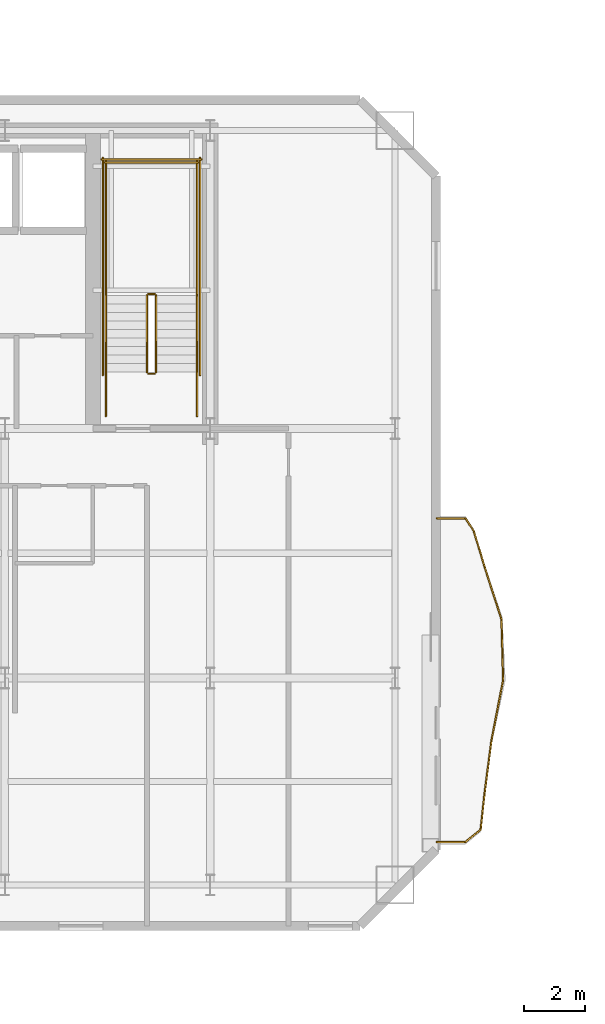
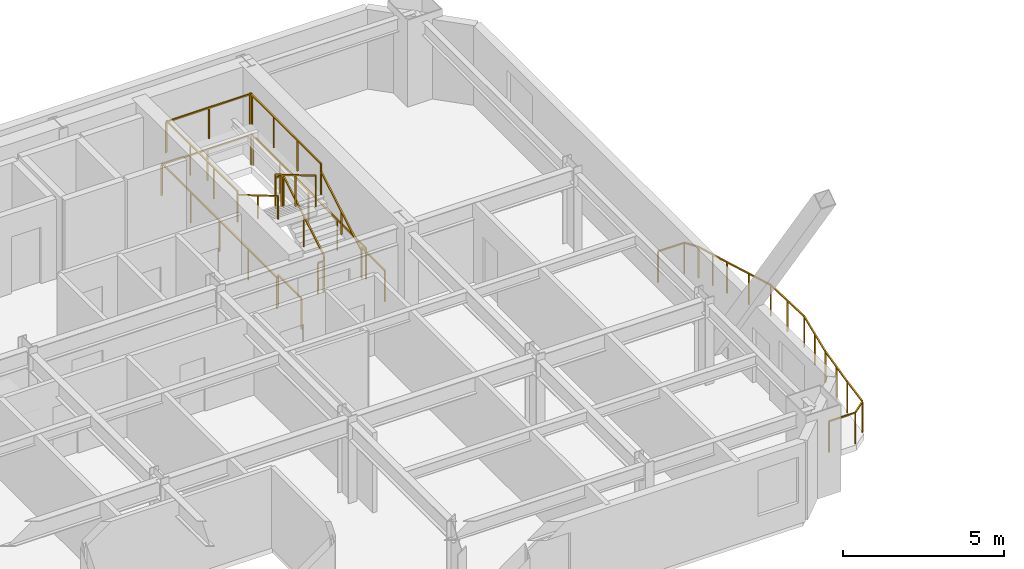
# One storey, part 11 of 13: 24 railings.
"""IFC4 building model written with IfcOpenShell, lengths in metres."""

from ifc_helpers import new_model, si_unit, direction, frame, origin, origin_2d, place, context, subcontext, project, spatial, rectangle, extrude, material, type_object, element, save


model = new_model("IFC4")

# Units and contexts
model_context = context("Model", 3, precision=1e-05, world=origin(), true_north=direction((0.0, 1.0)))
body_context = subcontext(model_context, "Body", "Model", "MODEL_VIEW")
ifc_project = project(units=[si_unit("LENGTHUNIT", "METRE"), si_unit("AREAUNIT", "SQUARE_METRE"), si_unit("VOLUMEUNIT", "CUBIC_METRE"), si_unit("PLANEANGLEUNIT", "RADIAN"), si_unit("MASSUNIT", "GRAM", prefix="KILO")], contexts=[model_context])

# Site, building, storey
site_placement = place(None, origin())
site = spatial("IfcSite", under=ifc_project, at=site_placement, CompositionType="ELEMENT")
building_placement = place(site_placement, origin())
building = spatial("IfcBuilding", under=site, at=building_placement, Name="Haevon Station Towers", CompositionType="ELEMENT")
storey_placement = place(building_placement, frame((0.0, 0.0, 165.89990234375)))
storey = spatial("IfcBuildingStorey", under=building, at=storey_placement, Name="L45", CompositionType="ELEMENT", Elevation=165.89990234375)

# Railings
ifc_material = material(Name="Steel S355", Category="steel")
railing_type_1 = type_object("IfcRailingType", Name="GRD-EXT1200", PredefinedType="GUARDRAIL", material=ifc_material)
railing_1_placement = place(storey_placement, frame((58.448486328125, 24.602783203125, 0.0)))
element("IfcRailing", 1, at=railing_1_placement, inside=storey, type_object=railing_type_1, Name="L45 Perimeter Guardrail 1", PredefinedType="GUARDRAIL", context=body_context, shape_type="SweptSolid", body=[
    extrude(rectangle(XDim=0.048095703125, YDim=0.048095703125, at=origin_2d()), frame((0.0, 0.0, 1.17578125), z_axis=(0.999997857851, 0.002069853263, 0.0), x_axis=(-0.002069853263, 0.999997857851, 0.0)), (0.0, 0.0, 1.0), 0.943603515625),
    extrude(rectangle(XDim=0.0419921875, YDim=0.0419921875, at=origin_2d()), origin(), (0.0, 0.0, 1.0), 1.15185546875),
    extrude(rectangle(XDim=0.0419921875, YDim=0.0419921875, at=origin_2d()), frame((0.943603515625, 0.001953125, 0.0)), (0.0, 0.0, 1.0), 1.15185546875),
])
railing_2_placement = place(storey_placement, frame((59.39208984375, 24.604736328125, 0.0)))
element("IfcRailing", 2, at=railing_2_placement, inside=storey, type_object=railing_type_1, Name="L45 Perimeter Guardrail 2", PredefinedType="GUARDRAIL", context=body_context, shape_type="SweptSolid", body=[
    extrude(rectangle(XDim=0.048095703125, YDim=0.048095703125, at=origin_2d()), frame((0.0, 0.0, 1.17578125), z_axis=(0.771155301893, 0.636647076771, 0.0), x_axis=(-0.636647076771, 0.771155301893, 0.0)), (0.0, 0.0, 1.0), 0.646240234375),
    extrude(rectangle(XDim=0.0419921875, YDim=0.0419921875, at=origin_2d()), origin(), (0.0, 0.0, 1.0), 1.15185546875),
    extrude(rectangle(XDim=0.0419921875, YDim=0.0419921875, at=origin_2d()), frame((0.498291015625, 0.411376953125, 0.0)), (0.0, 0.0, 1.0), 1.15185546875),
])
railing_3_placement = place(storey_placement, frame((59.890380859375, 25.01611328125, 0.0)))
element("IfcRailing", 3, at=railing_3_placement, inside=storey, type_object=railing_type_1, Name="L45 Perimeter Guardrail 3", PredefinedType="GUARDRAIL", context=body_context, shape_type="SweptSolid", body=[
    extrude(rectangle(XDim=0.048095703125, YDim=0.048095703125, at=origin_2d()), frame((0.0, 0.0, 1.17578125), z_axis=(0.10826862392, 0.994121675186, 0.0), x_axis=(-0.994121675186, 0.10826862392, 0.0)), (0.0, 0.0, 1.0), 1.177001953125),
    extrude(rectangle(XDim=0.0419921875, YDim=0.0419921875, at=origin_2d()), origin(), (0.0, 0.0, 1.0), 1.15185546875),
    extrude(rectangle(XDim=0.0419921875, YDim=0.0419921875, at=origin_2d()), frame((0.12744140625, 1.170166015625, 0.0)), (0.0, 0.0, 1.0), 1.15185546875),
])
railing_4_placement = place(storey_placement, frame((60.017822265625, 26.186279296875, 0.0)))
element("IfcRailing", 4, at=railing_4_placement, inside=storey, type_object=railing_type_1, Name="L45 Perimeter Guardrail 4", PredefinedType="GUARDRAIL", context=body_context, shape_type="SweptSolid", body=[
    extrude(rectangle(XDim=0.048095703125, YDim=0.048095703125, at=origin_2d()), frame((0.0, 0.0, 1.17578125), z_axis=(0.128836300535, 0.991665875013, 0.0), x_axis=(-0.991665875013, 0.128836300535, 0.0)), (0.0, 0.0, 1.0), 1.76416015625),
    extrude(rectangle(XDim=0.0419921875, YDim=0.0419921875, at=origin_2d()), origin(), (0.0, 0.0, 1.0), 1.15185546875),
    extrude(rectangle(XDim=0.0419921875, YDim=0.0419921875, at=origin_2d()), frame((0.11376953125, 0.874755859375, 0.0)), (0.0, 0.0, 1.0), 1.15185546875),
    extrude(rectangle(XDim=0.0419921875, YDim=0.0419921875, at=origin_2d()), frame((0.227294921875, 1.74951171875, 0.0)), (0.0, 0.0, 1.0), 1.15185546875),
])
railing_5_placement = place(storey_placement, frame((60.2451171875, 27.935791015625, 0.0)))
element("IfcRailing", 5, at=railing_5_placement, inside=storey, type_object=railing_type_1, Name="L45 Perimeter Guardrail 5", PredefinedType="GUARDRAIL", context=body_context, shape_type="SweptSolid", body=[
    extrude(rectangle(XDim=0.048095703125, YDim=0.048095703125, at=origin_2d()), frame((0.0, 0.0, 1.17578125), z_axis=(0.189669695752, 0.981847954886, 0.0), x_axis=(-0.981847954886, 0.189669695752, 0.0)), (0.0, 0.0, 1.0), 2.026123046875),
    extrude(rectangle(XDim=0.0419921875, YDim=0.0419921875, at=origin_2d()), origin(), (0.0, 0.0, 1.0), 1.15185546875),
    extrude(rectangle(XDim=0.0419921875, YDim=0.0419921875, at=origin_2d()), frame((0.192138671875, 0.99462890625, 0.0)), (0.0, 0.0, 1.0), 1.15185546875),
    extrude(rectangle(XDim=0.0419921875, YDim=0.0419921875, at=origin_2d()), frame((0.38427734375, 1.9892578125, 0.0)), (0.0, 0.0, 1.0), 1.15185546875),
])
railing_6_placement = place(storey_placement, frame((60.62939453125, 29.925048828125, 0.0)))
element("IfcRailing", 6, at=railing_6_placement, inside=storey, type_object=railing_type_1, Name="L45 Perimeter Guardrail 6", PredefinedType="GUARDRAIL", context=body_context, shape_type="SweptSolid", body=[
    extrude(rectangle(XDim=0.048095703125, YDim=0.048095703125, at=origin_2d()), frame((0.0, 0.0, 1.17578125), z_axis=(-0.026326002365, 0.999653410738, 0.0), x_axis=(-0.999653410738, -0.026326002365, 0.0)), (0.0, 0.0, 1.0), 1.993896484375),
    extrude(rectangle(XDim=0.0419921875, YDim=0.0419921875, at=origin_2d()), origin(), (0.0, 0.0, 1.0), 1.15185546875),
    extrude(rectangle(XDim=0.0419921875, YDim=0.0419921875, at=origin_2d()), frame((-0.0263671875, 0.99658203125, 0.0)), (0.0, 0.0, 1.0), 1.15185546875),
    extrude(rectangle(XDim=0.0419921875, YDim=0.0419921875, at=origin_2d()), frame((-0.052490234375, 1.9931640625, 0.0)), (0.0, 0.0, 1.0), 1.15185546875),
])
railing_7_placement = place(storey_placement, frame((60.576904296875, 31.918212890625, 0.0)))
element("IfcRailing", 7, at=railing_7_placement, inside=storey, type_object=railing_type_1, Name="L45 Perimeter Guardrail 7", PredefinedType="GUARDRAIL", context=body_context, shape_type="SweptSolid", body=[
    extrude(rectangle(XDim=0.048095703125, YDim=0.048095703125, at=origin_2d()), frame((0.0, 0.0, 1.17578125), z_axis=(-0.30505605899, 0.952334395511, 0.0), x_axis=(-0.952334395511, -0.30505605899, 0.0)), (0.0, 0.0, 1.0), 1.832763671875),
    extrude(rectangle(XDim=0.0419921875, YDim=0.0419921875, at=origin_2d()), origin(), (0.0, 0.0, 1.0), 1.15185546875),
    extrude(rectangle(XDim=0.0419921875, YDim=0.0419921875, at=origin_2d()), frame((-0.279541015625, 0.87255859375, 0.0)), (0.0, 0.0, 1.0), 1.15185546875),
    extrude(rectangle(XDim=0.0419921875, YDim=0.0419921875, at=origin_2d()), frame((-0.55908203125, 1.745361328125, 0.0)), (0.0, 0.0, 1.0), 1.15185546875),
])
railing_8_placement = place(storey_placement, frame((60.017822265625, 33.66357421875, 0.0)))
element("IfcRailing", 8, at=railing_8_placement, inside=storey, type_object=railing_type_1, Name="L45 Perimeter Guardrail 8", PredefinedType="GUARDRAIL", context=body_context, shape_type="SweptSolid", body=[
    extrude(rectangle(XDim=0.048095703125, YDim=0.048095703125, at=origin_2d()), frame((0.0, 0.0, 1.17578125), z_axis=(-0.289508622914, 0.95717540569, 0.0), x_axis=(-0.95717540569, -0.289508622914, 0.0)), (0.0, 0.0, 1.0), 1.22265625),
    extrude(rectangle(XDim=0.0419921875, YDim=0.0419921875, at=origin_2d()), origin(), (0.0, 0.0, 1.0), 1.15185546875),
    extrude(rectangle(XDim=0.0419921875, YDim=0.0419921875, at=origin_2d()), frame((-0.177001953125, 0.585205078125, 0.0)), (0.0, 0.0, 1.0), 1.15185546875),
    extrude(rectangle(XDim=0.0419921875, YDim=0.0419921875, at=origin_2d()), frame((-0.35400390625, 1.17041015625, 0.0)), (0.0, 0.0, 1.0), 1.15185546875),
])
railing_9_placement = place(storey_placement, frame((59.663818359375, 34.833984375, 0.0)))
element("IfcRailing", 9, at=railing_9_placement, inside=storey, type_object=railing_type_1, Name="L45 Perimeter Guardrail 9", PredefinedType="GUARDRAIL", context=body_context, shape_type="SweptSolid", body=[
    extrude(rectangle(XDim=0.048095703125, YDim=0.048095703125, at=origin_2d()), frame((0.0, 0.0, 1.17578125), z_axis=(-0.551380422188, 0.834253936177, 0.0), x_axis=(-0.834253936177, -0.551380422188, 0.0)), (0.0, 0.0, 1.0), 0.492919921875),
    extrude(rectangle(XDim=0.0419921875, YDim=0.0419921875, at=origin_2d()), origin(), (0.0, 0.0, 1.0), 1.15185546875),
    extrude(rectangle(XDim=0.0419921875, YDim=0.0419921875, at=origin_2d()), frame((-0.271728515625, 0.4111328125, 0.0)), (0.0, 0.0, 1.0), 1.15185546875),
])
railing_10_placement = place(storey_placement, frame((59.39208984375, 35.2451171875, 0.0)))
element("IfcRailing", 10, at=railing_10_placement, inside=storey, type_object=railing_type_1, Name="L45 Perimeter Guardrail 10", PredefinedType="GUARDRAIL", context=body_context, shape_type="SweptSolid", body=[
    extrude(rectangle(XDim=0.048095703125, YDim=0.048095703125, at=origin_2d()), frame((0.0, 0.0, 1.17578125), z_axis=(-0.999997857851, 0.002069853263, 0.0), x_axis=(-0.002069853263, -0.999997857851, 0.0)), (0.0, 0.0, 1.0), 0.943603515625),
    extrude(rectangle(XDim=0.0419921875, YDim=0.0419921875, at=origin_2d()), origin(), (0.0, 0.0, 1.0), 1.15185546875),
    extrude(rectangle(XDim=0.0419921875, YDim=0.0419921875, at=origin_2d()), frame((-0.943603515625, 0.001953125, 0.0)), (0.0, 0.0, 1.0), 1.15185546875),
])
railing_type_2 = type_object("IfcRailingType", Name="GRD-STR1200", PredefinedType="GUARDRAIL", material=ifc_material)
railing_11_placement = place(storey_placement, frame((49.219970703125, 40.050048828125, 0.1650390625)))
element("IfcRailing", 11, at=railing_11_placement, inside=storey, type_object=railing_type_2, Name="L45 ST2 Stair Guard 1", PredefinedType="GUARDRAIL", context=body_context, shape_type="SweptSolid", body=[
    extrude(rectangle(XDim=0.048095703125, YDim=0.048095703125, at=origin_2d()), frame((0.0, 0.0, 1.17578125), z_axis=(0.0, 0.86152411907, 0.507716645641), x_axis=(-1.0, 0.0, 0.0)), (0.0, 0.0, 1.0), 2.925048828125),
    extrude(rectangle(XDim=0.0419921875, YDim=0.0419921875, at=origin_2d()), origin(), (0.0, 0.0, 1.0), 1.15185546875),
    extrude(rectangle(XDim=0.0419921875, YDim=0.0419921875, at=origin_2d()), frame((0.0, 1.260009765625, 0.74267578125)), (0.0, 0.0, 1.0), 1.15185546875),
    extrude(rectangle(XDim=0.0419921875, YDim=0.0419921875, at=origin_2d()), frame((0.0, 2.52001953125, 1.485107421875)), (0.0, 0.0, 1.0), 1.15185546875),
])
railing_12_placement = place(storey_placement, frame((49.169921875, 42.6201171875, 1.650146484375)))
element("IfcRailing", 12, at=railing_12_placement, inside=storey, type_object=railing_type_2, Name="L45 ST2 Stair Guard 2", PredefinedType="GUARDRAIL", context=body_context, shape_type="SweptSolid", body=[
    extrude(rectangle(XDim=0.048095703125, YDim=0.048095703125, at=origin_2d()), frame((0.0, 0.0, 1.17578125), z_axis=(-1.0, 0.0, 0.0), x_axis=(0.0, -1.0, 0.0)), (0.0, 0.0, 1.0), 0.199951171875),
    extrude(rectangle(XDim=0.0419921875, YDim=0.0419921875, at=origin_2d()), origin(), (0.0, 0.0, 1.0), 1.15185546875),
    extrude(rectangle(XDim=0.0419921875, YDim=0.0419921875, at=origin_2d()), frame((-0.199951171875, 0.0, 0.0)), (0.0, 0.0, 1.0), 1.15185546875),
])
for number, where, name in (
    (13, (50.570068359375, 42.570068359375, 1.650146484375), "L45 ST2 Stair Guard 3"),
    (14, (47.570068359375, 42.570068359375, 1.650146484375), "L45 ST2 Stair Guard 4"),
):
    element("IfcRailing", number, at=place(storey_placement, frame(where)), inside=storey, type_object=railing_type_2, Name=name, PredefinedType="GUARDRAIL", context=body_context, shape_type="SweptSolid", body=[
        extrude(rectangle(XDim=0.048095703125, YDim=0.048095703125, at=origin_2d()), frame((0.0, 0.0, 1.17578125), z_axis=(0.0, 1.0, 0.0), x_axis=(-1.0, 0.0, 0.0)), (0.0, 0.0, 1.0), 4.429931640625),
        extrude(rectangle(XDim=0.0419921875, YDim=0.0419921875, at=origin_2d()), origin(), (0.0, 0.0, 1.0), 1.15185546875),
        extrude(rectangle(XDim=0.0419921875, YDim=0.0419921875, at=origin_2d()), frame((0.0, 1.4765625, 0.0)), (0.0, 0.0, 1.0), 1.15185546875),
        extrude(rectangle(XDim=0.0419921875, YDim=0.0419921875, at=origin_2d()), frame((0.0, 2.953369140625, 0.0)), (0.0, 0.0, 1.0), 1.15185546875),
        extrude(rectangle(XDim=0.0419921875, YDim=0.0419921875, at=origin_2d()), frame((0.0, 4.429931640625, 0.0)), (0.0, 0.0, 1.0), 1.15185546875),
    ])
railing_13_placement = place(storey_placement, frame((50.6201171875, 46.949951171875, 1.650146484375)))
element("IfcRailing", 15, at=railing_13_placement, inside=storey, type_object=railing_type_2, Name="L45 ST2 Stair Guard 5", PredefinedType="GUARDRAIL", context=body_context, shape_type="SweptSolid", body=[
    extrude(rectangle(XDim=0.048095703125, YDim=0.048095703125, at=origin_2d()), frame((0.0, 0.0, 1.17578125), z_axis=(-1.0, 0.0, 0.0), x_axis=(0.0, -1.0, 0.0)), (0.0, 0.0, 1.0), 3.10009765625),
    extrude(rectangle(XDim=0.0419921875, YDim=0.0419921875, at=origin_2d()), origin(), (0.0, 0.0, 1.0), 1.15185546875),
    extrude(rectangle(XDim=0.0419921875, YDim=0.0419921875, at=origin_2d()), frame((-1.550048828125, 0.0, 0.0)), (0.0, 0.0, 1.0), 1.15185546875),
    extrude(rectangle(XDim=0.0419921875, YDim=0.0419921875, at=origin_2d()), frame((-3.10009765625, 0.0, 0.0)), (0.0, 0.0, 1.0), 1.15185546875),
])
railing_14_placement = place(storey_placement, frame((48.919921875, 42.570068359375, 1.815185546875)))
element("IfcRailing", 16, at=railing_14_placement, inside=storey, type_object=railing_type_2, Name="L45 ST2 Stair Guard 6", PredefinedType="GUARDRAIL", context=body_context, shape_type="SweptSolid", body=[
    extrude(rectangle(XDim=0.048095703125, YDim=0.048095703125, at=origin_2d()), frame((0.0, 0.0, 1.17578125), z_axis=(0.0, -0.861560626758, 0.507654692109), x_axis=(1.0, 0.0, 0.0)), (0.0, 0.0, 1.0), 2.925048828125),
    extrude(rectangle(XDim=0.0419921875, YDim=0.0419921875, at=origin_2d()), origin(), (0.0, 0.0, 1.0), 1.15185546875),
    extrude(rectangle(XDim=0.0419921875, YDim=0.0419921875, at=origin_2d()), frame((0.0, -1.260009765625, 0.742431640625)), (0.0, 0.0, 1.0), 1.15185546875),
    extrude(rectangle(XDim=0.0419921875, YDim=0.0419921875, at=origin_2d()), frame((0.0, -2.52001953125, 1.48486328125)), (0.0, 0.0, 1.0), 1.15185546875),
])
railing_15_placement = place(storey_placement, frame((49.169921875, 40.0, 0.0)))
element("IfcRailing", 17, at=railing_15_placement, inside=storey, type_object=railing_type_2, Name="L45 ST2 Stair Guard 7", PredefinedType="GUARDRAIL", context=body_context, shape_type="SweptSolid", body=[
    extrude(rectangle(XDim=0.048095703125, YDim=0.048095703125, at=origin_2d()), frame((0.0, 0.0, 1.17578125), z_axis=(-1.0, 0.0, 0.0), x_axis=(0.0, -1.0, 0.0)), (0.0, 0.0, 1.0), 0.199951171875),
    extrude(rectangle(XDim=0.0419921875, YDim=0.0419921875, at=origin_2d()), origin(), (0.0, 0.0, 1.0), 1.15185546875),
    extrude(rectangle(XDim=0.0419921875, YDim=0.0419921875, at=origin_2d()), frame((-0.199951171875, 0.0, 0.0)), (0.0, 0.0, 1.0), 1.15185546875),
])
for number, where, name in (
    (18, (50.570068359375, 38.60009765625, 0.0), "L45 ST2 Stair Guard 8"),
    (19, (47.570068359375, 38.60009765625, 0.0), "L45 ST2 Stair Guard 9"),
):
    element("IfcRailing", number, at=place(storey_placement, frame(where)), inside=storey, type_object=railing_type_2, Name=name, PredefinedType="GUARDRAIL", context=body_context, shape_type="SweptSolid", body=[
        extrude(rectangle(XDim=0.048095703125, YDim=0.048095703125, at=origin_2d()), frame((0.0, 0.0, 1.17578125), z_axis=(0.0, 1.0, 0.0), x_axis=(-1.0, 0.0, 0.0)), (0.0, 0.0, 1.0), 1.449951171875),
        extrude(rectangle(XDim=0.0419921875, YDim=0.0419921875, at=origin_2d()), origin(), (0.0, 0.0, 1.0), 1.15185546875),
        extrude(rectangle(XDim=0.0419921875, YDim=0.0419921875, at=origin_2d()), frame((0.0, 1.449951171875, 0.0)), (0.0, 0.0, 1.0), 1.15185546875),
    ])
for number, where, name in (
    (20, (50.669921875, 39.949951171875, 0.0), "L45 ST2 Stair Guard 10"),
    (21, (47.469970703125, 39.949951171875, 0.0), "L45 ST2 Stair Guard 11"),
):
    element("IfcRailing", number, at=place(storey_placement, frame(where)), inside=storey, type_object=railing_type_2, Name=name, PredefinedType="GUARDRAIL", context=body_context, shape_type="SweptSolid", body=[
        extrude(rectangle(XDim=0.048095703125, YDim=0.048095703125, at=origin_2d()), frame((0.0, 0.0, 1.17578125), z_axis=(0.0, 1.0, 0.0), x_axis=(-1.0, 0.0, 0.0)), (0.0, 0.0, 1.0), 7.150146484375),
        extrude(rectangle(XDim=0.0419921875, YDim=0.0419921875, at=origin_2d()), origin(), (0.0, 0.0, 1.0), 1.15185546875),
        extrude(rectangle(XDim=0.0419921875, YDim=0.0419921875, at=origin_2d()), frame((0.0, 1.78759765625, 0.0)), (0.0, 0.0, 1.0), 1.15185546875),
        extrude(rectangle(XDim=0.0419921875, YDim=0.0419921875, at=origin_2d()), frame((0.0, 3.5751953125, 0.0)), (0.0, 0.0, 1.0), 1.15185546875),
        extrude(rectangle(XDim=0.0419921875, YDim=0.0419921875, at=origin_2d()), frame((0.0, 5.362548828125, 0.0)), (0.0, 0.0, 1.0), 1.15185546875),
        extrude(rectangle(XDim=0.0419921875, YDim=0.0419921875, at=origin_2d()), frame((0.0, 7.150146484375, 0.0)), (0.0, 0.0, 1.0), 1.15185546875),
    ])
railing_16_placement = place(storey_placement, frame((50.719970703125, 47.050048828125, 0.0)))
element("IfcRailing", 22, at=railing_16_placement, inside=storey, type_object=railing_type_2, Name="L45 ST2 Stair Guard 12", PredefinedType="GUARDRAIL", context=body_context, shape_type="SweptSolid", body=[
    extrude(rectangle(XDim=0.048095703125, YDim=0.048095703125, at=origin_2d()), frame((0.0, 0.0, 1.17578125), z_axis=(-1.0, 0.0, 0.0), x_axis=(0.0, -1.0, 0.0)), (0.0, 0.0, 1.0), 3.300048828125),
    extrude(rectangle(XDim=0.0419921875, YDim=0.0419921875, at=origin_2d()), origin(), (0.0, 0.0, 1.0), 1.15185546875),
    extrude(rectangle(XDim=0.0419921875, YDim=0.0419921875, at=origin_2d()), frame((-1.64990234375, 0.0, 0.0)), (0.0, 0.0, 1.0), 1.15185546875),
    extrude(rectangle(XDim=0.0419921875, YDim=0.0419921875, at=origin_2d()), frame((-3.300048828125, 0.0, 0.0)), (0.0, 0.0, 1.0), 1.15185546875),
])
railing_type_3 = type_object("IfcRailingType", Name="HND-STR900", PredefinedType="HANDRAIL", material=ifc_material)
railing_17_placement = place(storey_placement, frame((50.570068359375, 40.050048828125, 0.1650390625)))
element("IfcRailing", 23, at=railing_17_placement, inside=storey, type_object=railing_type_3, Name="L45 ST2 Stair Handrail 1", PredefinedType="HANDRAIL", context=body_context, shape_type="SweptSolid", body=[
    extrude(rectangle(XDim=0.048095703125, YDim=0.048095703125, at=origin_2d()), frame((0.0, 0.0, 0.8759765625), z_axis=(0.0, 0.86152411907, 0.507716645641), x_axis=(-1.0, 0.0, 0.0)), (0.0, 0.0, 1.0), 2.925048828125),
    extrude(rectangle(XDim=0.0419921875, YDim=0.0419921875, at=origin_2d()), origin(), (0.0, 0.0, 1.0), 0.851806640625),
    extrude(rectangle(XDim=0.0419921875, YDim=0.0419921875, at=origin_2d()), frame((0.0, 1.260009765625, 0.74267578125)), (0.0, 0.0, 1.0), 0.851806640625),
    extrude(rectangle(XDim=0.0419921875, YDim=0.0419921875, at=origin_2d()), frame((0.0, 2.52001953125, 1.485107421875)), (0.0, 0.0, 1.0), 0.851806640625),
])
railing_18_placement = place(storey_placement, frame((47.570068359375, 42.570068359375, 1.815185546875)))
element("IfcRailing", 24, at=railing_18_placement, inside=storey, type_object=railing_type_3, Name="L45 ST2 Stair Handrail 2", PredefinedType="HANDRAIL", context=body_context, shape_type="SweptSolid", body=[
    extrude(rectangle(XDim=0.048095703125, YDim=0.048095703125, at=origin_2d()), frame((0.0, 0.0, 0.8759765625), z_axis=(0.0, -0.861560626758, 0.507654692109), x_axis=(1.0, 0.0, 0.0)), (0.0, 0.0, 1.0), 2.925048828125),
    extrude(rectangle(XDim=0.0419921875, YDim=0.0419921875, at=origin_2d()), origin(), (0.0, 0.0, 1.0), 0.851806640625),
    extrude(rectangle(XDim=0.0419921875, YDim=0.0419921875, at=origin_2d()), frame((0.0, -1.260009765625, 0.742431640625)), (0.0, 0.0, 1.0), 0.851806640625),
    extrude(rectangle(XDim=0.0419921875, YDim=0.0419921875, at=origin_2d()), frame((0.0, -2.52001953125, 1.48486328125)), (0.0, 0.0, 1.0), 0.851806640625),
])

save(model, "model.ifc")
